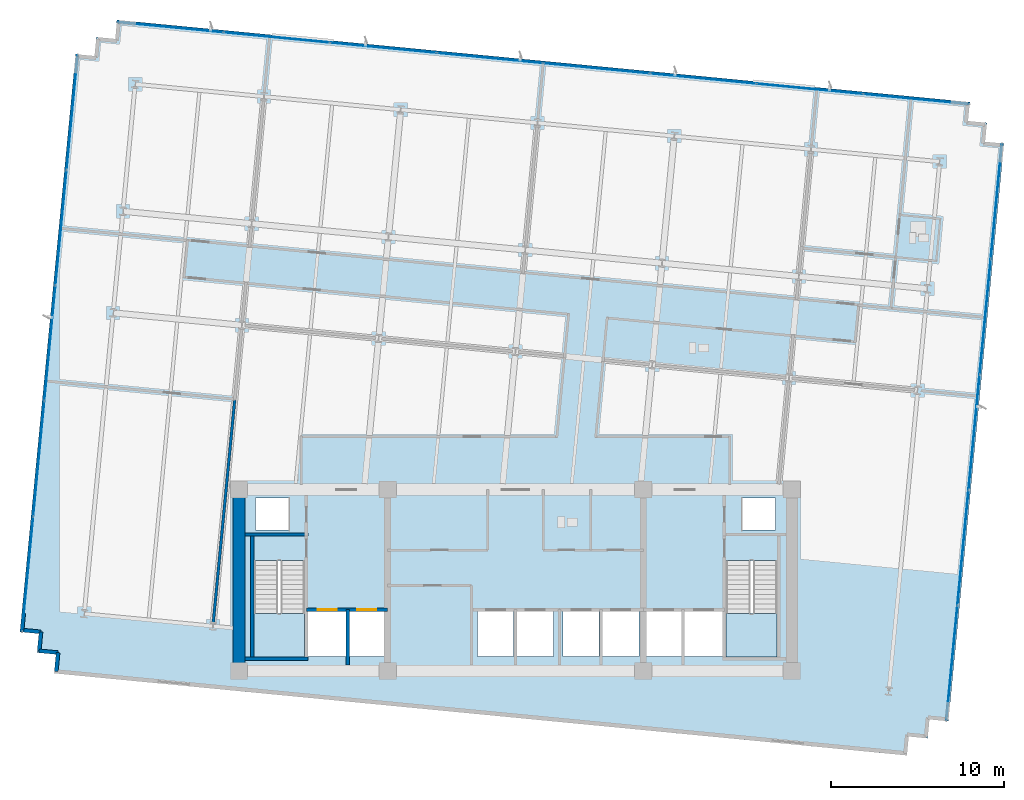
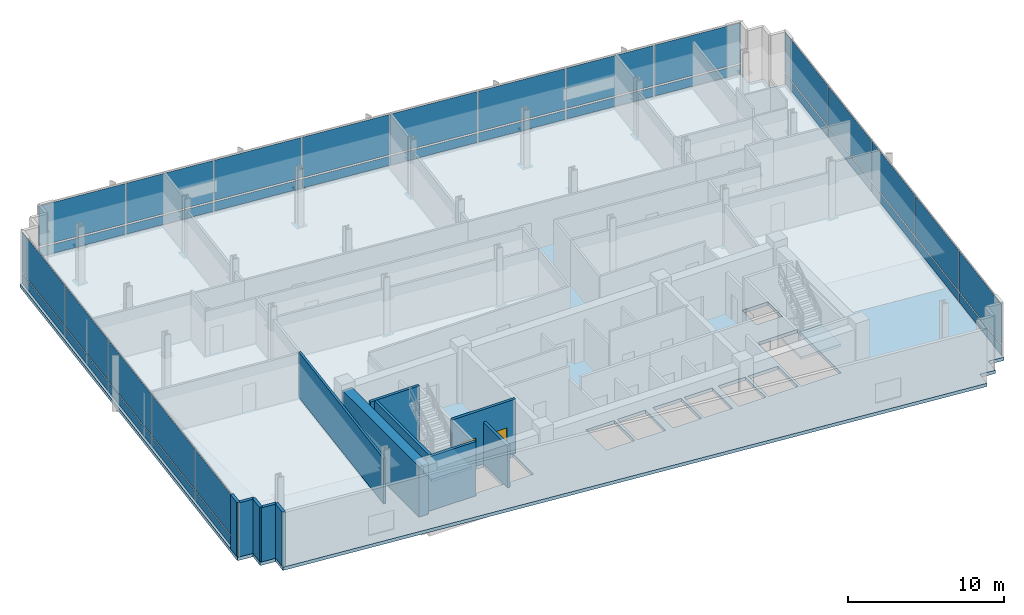
# One storey, part 10 of 17: 36 plates, 12 walls, 3 slabs, 2 doors, 2 openings, 5 elements without a shape of their own.
"""IFC4 building model written with IfcOpenShell, lengths in metres."""

from ifc_helpers import new_model, si_unit, direction, frame, frame_2d, origin, origin_2d, place, context, subcontext, project, spatial, polyline, rectangle, outline, extrude, material, layer, layer_set, type_object, element, fill, aggregate, save


model = new_model("IFC4")

# Units and contexts
model_context = context("Model", 3, precision=1e-05, world=origin(), true_north=direction((0.0, 1.0)))
body_context = subcontext(model_context, "Body", "Model", "MODEL_VIEW")
ifc_project = project(units=[si_unit("LENGTHUNIT", "METRE"), si_unit("AREAUNIT", "SQUARE_METRE"), si_unit("VOLUMEUNIT", "CUBIC_METRE"), si_unit("PLANEANGLEUNIT", "RADIAN"), si_unit("MASSUNIT", "GRAM", prefix="KILO")], contexts=[model_context])

# Site, building, storey
site_placement = place(None, origin())
site = spatial("IfcSite", under=ifc_project, at=site_placement, CompositionType="ELEMENT")
building_placement = place(site_placement, origin())
building = spatial("IfcBuilding", under=site, at=building_placement, Name="Solmavex Isthmus Hotel", CompositionType="ELEMENT")
storey_placement = place(building_placement, frame((0.0, 0.0, 177.300048828125)))
storey = spatial("IfcBuildingStorey", under=building, at=storey_placement, Name="L48", CompositionType="ELEMENT", Elevation=177.300048828125)

# Curtain wall, plates
ifc_material_1 = material(Name="Aluminium alloy 6063-T6", Category="aluminium")
curtain_wall_type = type_object("IfcCurtainWallType", Name="CW-SYS-05", PredefinedType="NOTDEFINED", material=ifc_material_1)
curtain_wall_1_placement = place(storey_placement, origin())
curtain_wall_1 = element("IfcCurtainWall", 1, at=curtain_wall_1_placement, inside=storey, type_object=curtain_wall_type, Name="Stick Curtain Wall CWL-L48-N1", PredefinedType="NOTDEFINED")
ifc_material_2 = material(Name="Clear low-E laminated glass", Category="glass")
ifc_layer_1 = layer(ifc_material_2, 0.0380859375)
ifc_layer_set_1 = layer_set([ifc_layer_1], Name="Clear low-E laminated glass")
plate_type = type_object("IfcPlateType", Name="CW-SYS-05-PNL", PredefinedType="CURTAIN_PANEL", material=ifc_layer_set_1)
plate_1_placement = place(storey_placement, frame((-19.974365234375, 24.271484375, 0.125), z_axis=(0.0, 0.0, 1.0), x_axis=(0.995396216037, -0.09584556901, 0.0)))
plate_1 = element("IfcPlate", 2, at=plate_1_placement, type_object=plate_type, Name="CW-05 panel 1.1", PredefinedType="CURTAIN_PANEL", context=body_context, shape_type="SweptSolid", body=[
    extrude(rectangle(XDim=6.1025390625, YDim=0.0380859375, at=origin_2d()), origin(), (0.0, 0.0, 1.0), 0.71240234375),
])
plate_2_placement = place(storey_placement, frame((-19.974365234375, 24.271484375, 0.96240234375), z_axis=(0.0, 0.0, 1.0), x_axis=(0.995396216037, -0.09584556901, 0.0)))
plate_2 = element("IfcPlate", 3, at=plate_2_placement, type_object=plate_type, Name="CW-05 panel 1.2", PredefinedType="CURTAIN_PANEL", context=body_context, shape_type="SweptSolid", body=[
    extrude(rectangle(XDim=6.1025390625, YDim=0.0380859375, at=origin_2d()), origin(), (0.0, 0.0, 1.0), 3.152587890625),
])
plate_3_placement = place(storey_placement, frame((-13.819091796875, 23.6787109375, 0.125), z_axis=(0.0, 0.0, 1.0), x_axis=(0.995396216037, -0.09584556901, 0.0)))
plate_3 = element("IfcPlate", 4, at=plate_3_placement, type_object=plate_type, Name="CW-05 panel 2.1", PredefinedType="CURTAIN_PANEL", context=body_context, shape_type="SweptSolid", body=[
    extrude(rectangle(XDim=6.135009765625, YDim=0.0380859375, at=origin_2d()), origin(), (0.0, 0.0, 1.0), 0.71240234375),
])
plate_4_placement = place(storey_placement, frame((-13.819091796875, 23.6787109375, 0.96240234375), z_axis=(0.0, 0.0, 1.0), x_axis=(0.995396216037, -0.09584556901, 0.0)))
plate_4 = element("IfcPlate", 5, at=plate_4_placement, type_object=plate_type, Name="CW-05 panel 2.2", PredefinedType="CURTAIN_PANEL", context=body_context, shape_type="SweptSolid", body=[
    extrude(rectangle(XDim=6.135009765625, YDim=0.0380859375, at=origin_2d()), origin(), (0.0, 0.0, 1.0), 3.152587890625),
])
plate_5_placement = place(storey_placement, frame((-7.647705078125, 23.08447265625, 0.125), z_axis=(0.0, 0.0, 1.0), x_axis=(0.995396216037, -0.09584556901, 0.0)))
plate_5 = element("IfcPlate", 6, at=plate_5_placement, type_object=plate_type, Name="CW-05 panel 3.1", PredefinedType="CURTAIN_PANEL", context=body_context, shape_type="SweptSolid", body=[
    extrude(rectangle(XDim=6.135009765625, YDim=0.0380859375, at=origin_2d()), origin(), (0.0, 0.0, 1.0), 0.71240234375),
])
plate_6_placement = place(storey_placement, frame((-7.647705078125, 23.08447265625, 0.96240234375), z_axis=(0.0, 0.0, 1.0), x_axis=(0.995396216037, -0.09584556901, 0.0)))
plate_6 = element("IfcPlate", 7, at=plate_6_placement, type_object=plate_type, Name="CW-05 panel 3.2", PredefinedType="CURTAIN_PANEL", context=body_context, shape_type="SweptSolid", body=[
    extrude(rectangle(XDim=6.135009765625, YDim=0.0380859375, at=origin_2d()), origin(), (0.0, 0.0, 1.0), 3.152587890625),
])
plate_7_placement = place(storey_placement, frame((-1.47607421875, 22.490234375, 0.125), z_axis=(0.0, 0.0, 1.0), x_axis=(0.995396216037, -0.09584556901, 0.0)))
plate_7 = element("IfcPlate", 8, at=plate_7_placement, type_object=plate_type, Name="CW-05 panel 4.1", PredefinedType="CURTAIN_PANEL", context=body_context, shape_type="SweptSolid", body=[
    extrude(rectangle(XDim=6.135009765625, YDim=0.0380859375, at=origin_2d()), origin(), (0.0, 0.0, 1.0), 0.71240234375),
])
plate_8_placement = place(storey_placement, frame((-1.47607421875, 22.490234375, 0.96240234375), z_axis=(0.0, 0.0, 1.0), x_axis=(0.995396216037, -0.09584556901, 0.0)))
plate_8 = element("IfcPlate", 9, at=plate_8_placement, type_object=plate_type, Name="CW-05 panel 4.2", PredefinedType="CURTAIN_PANEL", context=body_context, shape_type="SweptSolid", body=[
    extrude(rectangle(XDim=6.135009765625, YDim=0.0380859375, at=origin_2d()), origin(), (0.0, 0.0, 1.0), 3.152587890625),
])
plate_9_placement = place(storey_placement, frame((4.6953125, 21.89599609375, 0.125), z_axis=(0.0, 0.0, 1.0), x_axis=(0.995396216037, -0.09584556901, 0.0)))
plate_9 = element("IfcPlate", 10, at=plate_9_placement, type_object=plate_type, Name="CW-05 panel 5.1", PredefinedType="CURTAIN_PANEL", context=body_context, shape_type="SweptSolid", body=[
    extrude(rectangle(XDim=6.135009765625, YDim=0.0380859375, at=origin_2d()), origin(), (0.0, 0.0, 1.0), 0.71240234375),
])
plate_10_placement = place(storey_placement, frame((4.6953125, 21.89599609375, 0.96240234375), z_axis=(0.0, 0.0, 1.0), x_axis=(0.995396216037, -0.09584556901, 0.0)))
plate_10 = element("IfcPlate", 11, at=plate_10_placement, type_object=plate_type, Name="CW-05 panel 5.2", PredefinedType="CURTAIN_PANEL", context=body_context, shape_type="SweptSolid", body=[
    extrude(rectangle(XDim=6.135009765625, YDim=0.0380859375, at=origin_2d()), origin(), (0.0, 0.0, 1.0), 3.152587890625),
])
plate_11_placement = place(storey_placement, frame((10.86669921875, 21.3017578125, 0.125), z_axis=(0.0, 0.0, 1.0), x_axis=(0.995396216037, -0.09584556901, 0.0)))
plate_11 = element("IfcPlate", 12, at=plate_11_placement, type_object=plate_type, Name="CW-05 panel 6.1", PredefinedType="CURTAIN_PANEL", context=body_context, shape_type="SweptSolid", body=[
    extrude(rectangle(XDim=6.135009765625, YDim=0.0380859375, at=origin_2d()), origin(), (0.0, 0.0, 1.0), 0.71240234375),
])
plate_12_placement = place(storey_placement, frame((10.86669921875, 21.3017578125, 0.96240234375), z_axis=(0.0, 0.0, 1.0), x_axis=(0.995396216037, -0.09584556901, 0.0)))
plate_12 = element("IfcPlate", 13, at=plate_12_placement, type_object=plate_type, Name="CW-05 panel 6.2", PredefinedType="CURTAIN_PANEL", context=body_context, shape_type="SweptSolid", body=[
    extrude(rectangle(XDim=6.135009765625, YDim=0.0380859375, at=origin_2d()), origin(), (0.0, 0.0, 1.0), 3.152587890625),
])
plate_13_placement = place(storey_placement, frame((17.0380859375, 20.70751953125, 0.125), z_axis=(0.0, 0.0, 1.0), x_axis=(0.995396216037, -0.09584556901, 0.0)))
plate_13 = element("IfcPlate", 14, at=plate_13_placement, type_object=plate_type, Name="CW-05 panel 7.1", PredefinedType="CURTAIN_PANEL", context=body_context, shape_type="SweptSolid", body=[
    extrude(rectangle(XDim=6.135009765625, YDim=0.0380859375, at=origin_2d()), origin(), (0.0, 0.0, 1.0), 0.71240234375),
])
plate_14_placement = place(storey_placement, frame((17.0380859375, 20.70751953125, 0.96240234375), z_axis=(0.0, 0.0, 1.0), x_axis=(0.995396216037, -0.09584556901, 0.0)))
plate_14 = element("IfcPlate", 15, at=plate_14_placement, type_object=plate_type, Name="CW-05 panel 7.2", PredefinedType="CURTAIN_PANEL", context=body_context, shape_type="SweptSolid", body=[
    extrude(rectangle(XDim=6.135009765625, YDim=0.0380859375, at=origin_2d()), origin(), (0.0, 0.0, 1.0), 3.152587890625),
])
plate_15_placement = place(storey_placement, frame((23.193603515625, 20.11474609375, 0.125), z_axis=(0.0, 0.0, 1.0), x_axis=(0.995396216037, -0.09584556901, 0.0)))
plate_15 = element("IfcPlate", 16, at=plate_15_placement, type_object=plate_type, Name="CW-05 panel 8.1", PredefinedType="CURTAIN_PANEL", context=body_context, shape_type="SweptSolid", body=[
    extrude(rectangle(XDim=6.1025390625, YDim=0.0380859375, at=origin_2d()), origin(), (0.0, 0.0, 1.0), 0.71240234375),
])
plate_16_placement = place(storey_placement, frame((23.193603515625, 20.11474609375, 0.96240234375), z_axis=(0.0, 0.0, 1.0), x_axis=(0.995396216037, -0.09584556901, 0.0)))
plate_16 = element("IfcPlate", 17, at=plate_16_placement, type_object=plate_type, Name="CW-05 panel 8.2", PredefinedType="CURTAIN_PANEL", context=body_context, shape_type="SweptSolid", body=[
    extrude(rectangle(XDim=6.1025390625, YDim=0.0380859375, at=origin_2d()), origin(), (0.0, 0.0, 1.0), 3.152587890625),
])
aggregate(curtain_wall_1, [plate_1, plate_2, plate_3, plate_4, plate_5, plate_6, plate_7, plate_8, plate_9, plate_10, plate_11, plate_12, plate_13, plate_14, plate_15, plate_16])

curtain_wall_2_placement = place(storey_placement, origin())
curtain_wall_2 = element("IfcCurtainWall", 18, at=curtain_wall_2_placement, inside=storey, type_object=curtain_wall_type, Name="Stick Curtain Wall CWL-L48-W1", PredefinedType="NOTDEFINED")
plate_17_placement = place(storey_placement, frame((-28.242919921875, -7.385498046875, 0.125), z_axis=(0.0, 0.0, 1.0), x_axis=(0.09584583902, 0.995396190038, 0.0)))
plate_17 = element("IfcPlate", 19, at=plate_17_placement, type_object=plate_type, Name="CW-05 panel 1.1", PredefinedType="CURTAIN_PANEL", context=body_context, shape_type="SweptSolid", body=[
    extrude(rectangle(XDim=6.62255859375, YDim=0.0380859375, at=origin_2d()), origin(), (0.0, 0.0, 1.0), 0.71240234375),
])
plate_18_placement = place(storey_placement, frame((-28.242919921875, -7.385498046875, 0.96240234375), z_axis=(0.0, 0.0, 1.0), x_axis=(0.09584583902, 0.995396190038, 0.0)))
plate_18 = element("IfcPlate", 20, at=plate_18_placement, type_object=plate_type, Name="CW-05 panel 1.2", PredefinedType="CURTAIN_PANEL", context=body_context, shape_type="SweptSolid", body=[
    extrude(rectangle(XDim=6.62255859375, YDim=0.0380859375, at=origin_2d()), origin(), (0.0, 0.0, 1.0), 3.152587890625),
])
plate_19_placement = place(storey_placement, frame((-27.600341796875, -0.712646484375, 0.125), z_axis=(0.0, 0.0, 1.0), x_axis=(0.09584583902, 0.995396190038, 0.0)))
plate_19 = element("IfcPlate", 21, at=plate_19_placement, type_object=plate_type, Name="CW-05 panel 2.1", PredefinedType="CURTAIN_PANEL", context=body_context, shape_type="SweptSolid", body=[
    extrude(rectangle(XDim=6.655029296875, YDim=0.0380859375, at=origin_2d()), origin(), (0.0, 0.0, 1.0), 0.71240234375),
])
plate_20_placement = place(storey_placement, frame((-27.600341796875, -0.712646484375, 0.96240234375), z_axis=(0.0, 0.0, 1.0), x_axis=(0.09584583902, 0.995396190038, 0.0)))
plate_20 = element("IfcPlate", 22, at=plate_20_placement, type_object=plate_type, Name="CW-05 panel 2.2", PredefinedType="CURTAIN_PANEL", context=body_context, shape_type="SweptSolid", body=[
    extrude(rectangle(XDim=6.655029296875, YDim=0.0380859375, at=origin_2d()), origin(), (0.0, 0.0, 1.0), 3.152587890625),
])
plate_21_placement = place(storey_placement, frame((-26.956298828125, 5.976318359375, 0.125), z_axis=(0.0, 0.0, 1.0), x_axis=(0.09584583902, 0.995396190038, 0.0)))
plate_21 = element("IfcPlate", 23, at=plate_21_placement, type_object=plate_type, Name="CW-05 panel 3.1", PredefinedType="CURTAIN_PANEL", context=body_context, shape_type="SweptSolid", body=[
    extrude(rectangle(XDim=6.655029296875, YDim=0.0380859375, at=origin_2d()), origin(), (0.0, 0.0, 1.0), 0.71240234375),
])
plate_22_placement = place(storey_placement, frame((-26.956298828125, 5.976318359375, 0.96240234375), z_axis=(0.0, 0.0, 1.0), x_axis=(0.09584583902, 0.995396190038, 0.0)))
plate_22 = element("IfcPlate", 24, at=plate_22_placement, type_object=plate_type, Name="CW-05 panel 3.2", PredefinedType="CURTAIN_PANEL", context=body_context, shape_type="SweptSolid", body=[
    extrude(rectangle(XDim=6.655029296875, YDim=0.0380859375, at=origin_2d()), origin(), (0.0, 0.0, 1.0), 3.152587890625),
])
plate_23_placement = place(storey_placement, frame((-26.312255859375, 12.665283203125, 0.125), z_axis=(0.0, 0.0, 1.0), x_axis=(0.09584583902, 0.995396190038, 0.0)))
plate_23 = element("IfcPlate", 25, at=plate_23_placement, type_object=plate_type, Name="CW-05 panel 4.1", PredefinedType="CURTAIN_PANEL", context=body_context, shape_type="SweptSolid", body=[
    extrude(rectangle(XDim=6.655029296875, YDim=0.0380859375, at=origin_2d()), origin(), (0.0, 0.0, 1.0), 0.71240234375),
])
plate_24_placement = place(storey_placement, frame((-26.312255859375, 12.665283203125, 0.96240234375), z_axis=(0.0, 0.0, 1.0), x_axis=(0.09584583902, 0.995396190038, 0.0)))
plate_24 = element("IfcPlate", 26, at=plate_24_placement, type_object=plate_type, Name="CW-05 panel 4.2", PredefinedType="CURTAIN_PANEL", context=body_context, shape_type="SweptSolid", body=[
    extrude(rectangle(XDim=6.655029296875, YDim=0.0380859375, at=origin_2d()), origin(), (0.0, 0.0, 1.0), 3.152587890625),
])
plate_25_placement = place(storey_placement, frame((-25.669677734375, 19.33837890625, 0.125), z_axis=(0.0, 0.0, 1.0), x_axis=(0.09584583902, 0.995396190038, 0.0)))
plate_25 = element("IfcPlate", 27, at=plate_25_placement, type_object=plate_type, Name="CW-05 panel 5.1", PredefinedType="CURTAIN_PANEL", context=body_context, shape_type="SweptSolid", body=[
    extrude(rectangle(XDim=6.62255859375, YDim=0.0380859375, at=origin_2d()), origin(), (0.0, 0.0, 1.0), 0.71240234375),
])
plate_26_placement = place(storey_placement, frame((-25.669677734375, 19.33837890625, 0.96240234375), z_axis=(0.0, 0.0, 1.0), x_axis=(0.09584583902, 0.995396190038, 0.0)))
plate_26 = element("IfcPlate", 28, at=plate_26_placement, type_object=plate_type, Name="CW-05 panel 5.2", PredefinedType="CURTAIN_PANEL", context=body_context, shape_type="SweptSolid", body=[
    extrude(rectangle(XDim=6.62255859375, YDim=0.0380859375, at=origin_2d()), origin(), (0.0, 0.0, 1.0), 3.152587890625),
])
aggregate(curtain_wall_2, [plate_17, plate_18, plate_19, plate_20, plate_21, plate_22, plate_23, plate_24, plate_25, plate_26])

curtain_wall_3_placement = place(storey_placement, origin())
curtain_wall_3 = element("IfcCurtainWall", 29, at=curtain_wall_3_placement, inside=storey, type_object=curtain_wall_type, Name="Stick Curtain Wall CWL-L48-E1", PredefinedType="NOTDEFINED")
plate_27_placement = place(storey_placement, frame((25.26953125, -12.538330078125, 0.125), z_axis=(0.0, 0.0, 1.0), x_axis=(0.09584583902, 0.995396190038, 0.0)))
plate_27 = element("IfcPlate", 30, at=plate_27_placement, type_object=plate_type, Name="CW-05 panel 1.1", PredefinedType="CURTAIN_PANEL", context=body_context, shape_type="SweptSolid", body=[
    extrude(rectangle(XDim=6.62255859375, YDim=0.0380859375, at=origin_2d()), origin(), (0.0, 0.0, 1.0), 0.71240234375),
])
plate_28_placement = place(storey_placement, frame((25.26953125, -12.538330078125, 0.96240234375), z_axis=(0.0, 0.0, 1.0), x_axis=(0.09584583902, 0.995396190038, 0.0)))
plate_28 = element("IfcPlate", 31, at=plate_28_placement, type_object=plate_type, Name="CW-05 panel 1.2", PredefinedType="CURTAIN_PANEL", context=body_context, shape_type="SweptSolid", body=[
    extrude(rectangle(XDim=6.62255859375, YDim=0.0380859375, at=origin_2d()), origin(), (0.0, 0.0, 1.0), 3.152587890625),
])
plate_29_placement = place(storey_placement, frame((25.912109375, -5.865478515625, 0.125), z_axis=(0.0, 0.0, 1.0), x_axis=(0.09584583902, 0.995396190038, 0.0)))
plate_29 = element("IfcPlate", 32, at=plate_29_placement, type_object=plate_type, Name="CW-05 panel 2.1", PredefinedType="CURTAIN_PANEL", context=body_context, shape_type="SweptSolid", body=[
    extrude(rectangle(XDim=6.655029296875, YDim=0.0380859375, at=origin_2d()), origin(), (0.0, 0.0, 1.0), 0.71240234375),
])
plate_30_placement = place(storey_placement, frame((25.912109375, -5.865478515625, 0.96240234375), z_axis=(0.0, 0.0, 1.0), x_axis=(0.09584583902, 0.995396190038, 0.0)))
plate_30 = element("IfcPlate", 33, at=plate_30_placement, type_object=plate_type, Name="CW-05 panel 2.2", PredefinedType="CURTAIN_PANEL", context=body_context, shape_type="SweptSolid", body=[
    extrude(rectangle(XDim=6.655029296875, YDim=0.0380859375, at=origin_2d()), origin(), (0.0, 0.0, 1.0), 3.152587890625),
])
plate_31_placement = place(storey_placement, frame((26.55615234375, 0.82373046875, 0.125), z_axis=(0.0, 0.0, 1.0), x_axis=(0.09584583902, 0.995396190038, 0.0)))
plate_31 = element("IfcPlate", 34, at=plate_31_placement, type_object=plate_type, Name="CW-05 panel 3.1", PredefinedType="CURTAIN_PANEL", context=body_context, shape_type="SweptSolid", body=[
    extrude(rectangle(XDim=6.655029296875, YDim=0.0380859375, at=origin_2d()), origin(), (0.0, 0.0, 1.0), 0.71240234375),
])
plate_32_placement = place(storey_placement, frame((26.55615234375, 0.82373046875, 0.96240234375), z_axis=(0.0, 0.0, 1.0), x_axis=(0.09584583902, 0.995396190038, 0.0)))
plate_32 = element("IfcPlate", 35, at=plate_32_placement, type_object=plate_type, Name="CW-05 panel 3.2", PredefinedType="CURTAIN_PANEL", context=body_context, shape_type="SweptSolid", body=[
    extrude(rectangle(XDim=6.655029296875, YDim=0.0380859375, at=origin_2d()), origin(), (0.0, 0.0, 1.0), 3.152587890625),
])
plate_33_placement = place(storey_placement, frame((27.200439453125, 7.5126953125, 0.125), z_axis=(0.0, 0.0, 1.0), x_axis=(0.09584583902, 0.995396190038, 0.0)))
plate_33 = element("IfcPlate", 36, at=plate_33_placement, type_object=plate_type, Name="CW-05 panel 4.1", PredefinedType="CURTAIN_PANEL", context=body_context, shape_type="SweptSolid", body=[
    extrude(rectangle(XDim=6.655029296875, YDim=0.0380859375, at=origin_2d()), origin(), (0.0, 0.0, 1.0), 0.71240234375),
])
plate_34_placement = place(storey_placement, frame((27.200439453125, 7.5126953125, 0.96240234375), z_axis=(0.0, 0.0, 1.0), x_axis=(0.09584583902, 0.995396190038, 0.0)))
plate_34 = element("IfcPlate", 37, at=plate_34_placement, type_object=plate_type, Name="CW-05 panel 4.2", PredefinedType="CURTAIN_PANEL", context=body_context, shape_type="SweptSolid", body=[
    extrude(rectangle(XDim=6.655029296875, YDim=0.0380859375, at=origin_2d()), origin(), (0.0, 0.0, 1.0), 3.152587890625),
])
plate_35_placement = place(storey_placement, frame((27.8427734375, 14.185546875, 0.125), z_axis=(0.0, 0.0, 1.0), x_axis=(0.09584583902, 0.995396190038, 0.0)))
plate_35 = element("IfcPlate", 38, at=plate_35_placement, type_object=plate_type, Name="CW-05 panel 5.1", PredefinedType="CURTAIN_PANEL", context=body_context, shape_type="SweptSolid", body=[
    extrude(rectangle(XDim=6.62255859375, YDim=0.0380859375, at=origin_2d()), origin(), (0.0, 0.0, 1.0), 0.71240234375),
])
plate_36_placement = place(storey_placement, frame((27.8427734375, 14.185546875, 0.96240234375), z_axis=(0.0, 0.0, 1.0), x_axis=(0.09584583902, 0.995396190038, 0.0)))
plate_36 = element("IfcPlate", 39, at=plate_36_placement, type_object=plate_type, Name="CW-05 panel 5.2", PredefinedType="CURTAIN_PANEL", context=body_context, shape_type="SweptSolid", body=[
    extrude(rectangle(XDim=6.62255859375, YDim=0.0380859375, at=origin_2d()), origin(), (0.0, 0.0, 1.0), 3.152587890625),
])
aggregate(curtain_wall_3, [plate_27, plate_28, plate_29, plate_30, plate_31, plate_32, plate_33, plate_34, plate_35, plate_36])

# Slab
ifc_material_3 = material(Name="Concrete C40/50", Category="concrete")
ifc_layer_2 = layer(ifc_material_3, 0.260009765625)
ifc_layer_set_2 = layer_set([ifc_layer_2], Name="Concrete C40/50")
slab_type_1 = type_object("IfcSlabType", Name="SLAB-TYP-260", PredefinedType="FLOOR", material=ifc_layer_set_2)
slab_1_placement = place(storey_placement, frame((0.0, 0.0, -0.260009765625)))
element("IfcSlab", 40, at=slab_1_placement, inside=storey, type_object=slab_type_1, Name="Tower Structural Floor Slab L48", PredefinedType="FLOOR", context=body_context, shape_type="SweptSolid", body=[
    extrude(outline(polyline([(-25.612060546875, -13.240966796875), (21.56982421875, -17.7841796875), (22.664794921875, -17.889404296875), (22.770263671875, -16.794677734375), (23.865234375, -16.89990234375), (23.970458984375, -15.80517578125), (25.0654296875, -15.910400390625), (25.1708984375, -14.815673828125), (28.180419921875, 16.43994140625), (28.285888671875, 17.534912109375), (27.19091796875, 17.64013671875), (27.29638671875, 18.735107421875), (26.201416015625, 18.840576171875), (26.306884765625, 19.935546875), (25.2119140625, 20.041015625), (-21.9697265625, 24.583984375), (-23.064697265625, 24.689453125), (-23.170166015625, 23.594482421875), (-24.26513671875, 23.699951171875), (-24.37060546875, 22.60498046875), (-25.465576171875, 22.71044921875), (-25.57080078125, 21.615478515625), (-28.58056640625, -9.639892578125), (-28.685791015625, -10.73486328125), (-27.591064453125, -10.84033203125), (-27.6962890625, -11.935302734375), (-26.6015625, -12.04052734375), (-26.706787109375, -13.135498046875), (-25.612060546875, -13.240966796875)]), holes=[polyline([(-15.14990234375, -6.617919921875), (-15.14990234375, -12.199951171875), (-12.199951171875, -12.199951171875), (-12.199951171875, -6.617919921875), (-15.14990234375, -6.617919921875)]), polyline([(12.199951171875, -6.617919921875), (12.199951171875, -12.199951171875), (15.14990234375, -12.199951171875), (15.14990234375, -6.617919921875), (12.199951171875, -6.617919921875)]), polyline([(-12.0, -12.14990234375), (-9.800048828125, -12.14990234375), (-9.800048828125, -9.550048828125), (-12.0, -9.550048828125), (-12.0, -12.14990234375)]), polyline([(9.800048828125, -12.14990234375), (12.0, -12.14990234375), (12.0, -9.550048828125), (9.800048828125, -9.550048828125), (9.800048828125, -12.14990234375)]), polyline([(-9.60009765625, -12.14990234375), (-7.60009765625, -12.14990234375), (-7.60009765625, -9.550048828125), (-9.60009765625, -9.550048828125), (-9.60009765625, -12.14990234375)]), polyline([(7.60009765625, -12.14990234375), (9.60009765625, -12.14990234375), (9.60009765625, -9.550048828125), (7.60009765625, -9.550048828125), (7.60009765625, -12.14990234375)]), polyline([(-2.199951171875, -12.14990234375), (-0.10009765625, -12.14990234375), (-0.10009765625, -9.550048828125), (-2.199951171875, -9.550048828125), (-2.199951171875, -12.14990234375)]), polyline([(0.10009765625, -12.14990234375), (2.199951171875, -12.14990234375), (2.199951171875, -9.550048828125), (0.10009765625, -9.550048828125), (0.10009765625, -12.14990234375)]), polyline([(2.75, -12.14990234375), (4.85009765625, -12.14990234375), (4.85009765625, -9.550048828125), (2.75, -9.550048828125), (2.75, -12.14990234375)]), polyline([(5.050048828125, -12.14990234375), (7.14990234375, -12.14990234375), (7.14990234375, -9.550048828125), (5.050048828125, -9.550048828125), (5.050048828125, -12.14990234375)]), polyline([(-15.050048828125, -4.85009765625), (-13.14990234375, -4.85009765625), (-13.14990234375, -3.0), (-15.050048828125, -3.0), (-15.050048828125, -4.85009765625)]), polyline([(13.14990234375, -4.85009765625), (15.050048828125, -4.85009765625), (15.050048828125, -3.0), (13.14990234375, -3.0), (13.14990234375, -4.85009765625)])]), origin(), (0.0, 0.0, 1.0), 0.260009765625),
])

# Stair, slab
stair_type_1 = type_object("IfcStairType", Name="STR-ST-1", PredefinedType="HALF_TURN_STAIR", material=ifc_material_3)
stair_1_placement = place(storey_placement, origin())
stair_1 = element("IfcStair", 41, at=stair_1_placement, inside=storey, type_object=stair_type_1, Name="L48 Protected Exit Stair ST-1", PredefinedType="HALF_TURN_STAIR")
ifc_layer_3 = layer(ifc_material_3, 0.219970703125)
ifc_layer_set_3 = layer_set([ifc_layer_3], Name="Concrete C40/50")
slab_type_2 = type_object("IfcSlabType", Name="SLD-ST-1", PredefinedType="LANDING", material=ifc_layer_set_3)
slab_2_placement = place(storey_placement, frame((0.0, 0.0, 2.050048828125)))
slab_2 = element("IfcSlab", 42, at=slab_2_placement, type_object=slab_type_2, Name="ST-1 landing 1", PredefinedType="LANDING", context=body_context, shape_type="SweptSolid", body=[
    extrude(outline(polyline([(-15.14990234375, -9.679931640625), (-15.14990234375, -12.199951171875), (-12.199951171875, -12.199951171875), (-12.199951171875, -9.679931640625), (-15.14990234375, -9.679931640625)])), origin(), (0.0, 0.0, 1.0), 0.199951171875),
])
aggregate(stair_1, [slab_2])

stair_type_2 = type_object("IfcStairType", Name="STR-ST-2", PredefinedType="HALF_TURN_STAIR", material=ifc_material_3)
stair_2_placement = place(storey_placement, origin())
stair_2 = element("IfcStair", 43, at=stair_2_placement, inside=storey, type_object=stair_type_2, Name="L48 Protected Exit Stair ST-2", PredefinedType="HALF_TURN_STAIR")
ifc_layer_4 = layer(ifc_material_3, 0.219970703125)
ifc_layer_set_4 = layer_set([ifc_layer_4], Name="Concrete C40/50")
slab_type_3 = type_object("IfcSlabType", Name="SLD-ST-2", PredefinedType="LANDING", material=ifc_layer_set_4)
slab_3_placement = place(storey_placement, frame((0.0, 0.0, 2.050048828125)))
slab_3 = element("IfcSlab", 44, at=slab_3_placement, type_object=slab_type_3, Name="ST-2 landing 1", PredefinedType="LANDING", context=body_context, shape_type="SweptSolid", body=[
    extrude(outline(polyline([(12.199951171875, -9.679931640625), (12.199951171875, -12.199951171875), (15.14990234375, -12.199951171875), (15.14990234375, -9.679931640625), (12.199951171875, -9.679931640625)])), origin(), (0.0, 0.0, 1.0), 0.199951171875),
])
aggregate(stair_2, [slab_3])

# Walls
ifc_material_4 = material(Name="Precast Concrete C40/50", Category="concrete")
ifc_layer_5 = layer(ifc_material_4, 0.25)
ifc_layer_set_5 = layer_set([ifc_layer_5], Name="Precast Concrete C40/50")
wall_type_1 = type_object("IfcWallType", Name="EW-TWR-250", PredefinedType="STANDARD", material=ifc_layer_set_5)
for number, where, z_axis, x_axis, name in (
    (45, (-26.5869140625, -13.03662109375, 0.0), (0.0, 0.0, 1.0), (0.095877334176, 0.995393156894, 0.0), "Serrated Corner Facade Panel L48-01"),
    (46, (-26.4814453125, -11.941650390625, 0.0), (0.0, 0.0, 1.0), (-0.995393156894, 0.095877334176, 0.0), "Serrated Corner Facade Panel L48-02"),
    (47, (-27.576416015625, -11.836181640625, 0.0), (0.0, 0.0, 1.0), (0.095877334176, 0.995393156894, 0.0), "Serrated Corner Facade Panel L48-03"),
    (48, (-27.470947265625, -10.7412109375, 0.0), (0.0, 0.0, 1.0), (-0.995414313875, 0.095657429048, 0.0), "Serrated Corner Facade Panel L48-04"),
):
    element("IfcWall", number, at=place(storey_placement, frame(where, z_axis=z_axis, x_axis=x_axis)), inside=storey, type_object=wall_type_1, Name=name, PredefinedType="STANDARD", context=body_context, shape_type="SweptSolid", body=[
        extrude(rectangle(XDim=1.10009765625, YDim=0.219970703125, at=frame_2d((0.550048828125, 0.0))), origin(), (0.0, 0.0, 1.0), 4.239990234375),
    ])
wall_1_placement = place(storey_placement, frame((-28.56591796875, -10.635986328125, 0.0), z_axis=(0.0, 0.0, 1.0), x_axis=(0.095914428506, 0.995389583231, 0.0)))
element("IfcWall", 49, at=wall_1_placement, inside=storey, type_object=wall_type_1, Name="Serrated Corner Facade Panel L48-05", PredefinedType="STANDARD", context=body_context, shape_type="SweptSolid", body=[
    extrude(rectangle(XDim=0.990234375, YDim=0.219970703125, at=frame_2d((0.4951171875, 0.0))), origin(), (0.0, 0.0, 1.0), 4.239990234375),
])
ifc_material_5 = material(Name="Gypsum plasterboard lining", Category="gypsum")
ifc_layer_6 = layer(ifc_material_5, 0.159912109375)
ifc_layer_set_6 = layer_set([ifc_layer_6], Name="Gypsum plasterboard lining")
wall_type_2 = type_object("IfcWallType", Name="IW-COMP-160", PredefinedType="PARTITIONING", material=ifc_layer_set_6)
wall_2_placement = place(storey_placement, frame((-17.497802734375, -10.228759765625, 0.0), z_axis=(0.0, 0.0, 1.0), x_axis=(0.095841963464, 0.995396563205, 0.0)))
element("IfcWall", 50, at=wall_2_placement, inside=storey, type_object=wall_type_2, Name="Interior Partition Wall W-L48-P051", PredefinedType="PARTITIONING", context=body_context, shape_type="SweptSolid", body=[
    extrude(rectangle(XDim=13.10595703125, YDim=0.159912109375, at=frame_2d((6.552978515625, 0.0))), origin(), (0.0, 0.0, 1.0), 3.529541015625),
])

# Wall, openings, doors
ifc_layer_7 = layer(ifc_material_3, 0.199951171875)
ifc_layer_set_7 = layer_set([ifc_layer_7], Name="Concrete C40/50")
wall_type_3 = type_object("IfcWallType", Name="IW-SHAFT-200", PredefinedType="PARTITIONING", material=ifc_layer_set_7)
wall_3_placement = place(storey_placement, frame((-12.10009765625, -9.449951171875, 0.0), z_axis=(0.0, 0.0, 1.0), x_axis=(1.0, 0.0, 0.0)))
wall_3 = element("IfcWall", 51, at=wall_3_placement, inside=storey, type_object=wall_type_3, Name="Interior Partition Wall W-L48-FFLW-S", PredefinedType="PARTITIONING", context=body_context, shape_type="SweptSolid", body=[
    extrude(rectangle(XDim=4.7001953125, YDim=0.199951171875, at=frame_2d((2.35009765625, 0.0))), origin(), (0.0, 0.0, 1.0), 4.239990234375),
])
opening_1_placement = place(wall_3_placement, frame((0.64990234375, 0.0, 0.0)))
opening_1 = element("IfcOpeningElement", 52, at=opening_1_placement, cuts=wall_3, Name="Opening LD-FF", PredefinedType="OPENING", context=body_context, shape_type="SweptSolid", body=[
    extrude(rectangle(XDim=1.10009765625, YDim=2.199951171875, at=frame_2d((0.550048828125, 1.10009765625))), frame((0.0, 0.10986328125, 0.0), z_axis=(0.0, -1.0, 0.0), x_axis=(1.0, 0.0, 0.0)), (0.0, 0.0, 1.0), 0.219970703125),
])
opening_2_placement = place(wall_3_placement, frame((2.949951171875, 0.0, 0.0)))
opening_2 = element("IfcOpeningElement", 53, at=opening_2_placement, cuts=wall_3, Name="Opening LD-SV", PredefinedType="OPENING", context=body_context, shape_type="SweptSolid", body=[
    extrude(rectangle(XDim=1.10009765625, YDim=2.199951171875, at=frame_2d((0.550048828125, 1.10009765625))), frame((0.0, 0.10986328125, 0.0), z_axis=(0.0, -1.0, 0.0), x_axis=(1.0, 0.0, 0.0)), (0.0, 0.0, 1.0), 0.219970703125),
])
ifc_material_6 = material(Name="Stainless steel 316", Category="steel")
door_type_1 = type_object("IfcDoorType", Name="LDR-FF-1100", OperationType="NOTDEFINED", PredefinedType="DOOR", material=ifc_material_6)
door_1_placement = place(opening_1_placement, origin())
door_1 = element("IfcDoor", 54, at=door_1_placement, inside=storey, type_object=door_type_1, Name="Lift Landing Door FFL-1 L48", OperationType="SLIDING_TO_LEFT", OverallHeight=2.199951171875, OverallWidth=1.10009765625, PredefinedType="DOOR", context=body_context, shape_type="SweptSolid", body=[
    extrude(rectangle(XDim=1.10009765625, YDim=2.199951171875, at=frame_2d((0.550048828125, 1.10009765625))), frame((0.0, 0.02490234375, 0.0), z_axis=(0.0, -1.0, 0.0), x_axis=(1.0, 0.0, 0.0)), (0.0, 0.0, 1.0), 0.050048828125),
])
fill(opening_1, door_1)
door_type_2 = type_object("IfcDoorType", Name="LDR-SV-1100", OperationType="NOTDEFINED", PredefinedType="DOOR", material=ifc_material_6)
door_2_placement = place(opening_2_placement, origin())
door_2 = element("IfcDoor", 55, at=door_2_placement, inside=storey, type_object=door_type_2, Name="Lift Landing Door SVL-1 L48", OperationType="SLIDING_TO_RIGHT", OverallHeight=2.199951171875, OverallWidth=1.10009765625, PredefinedType="DOOR", context=body_context, shape_type="SweptSolid", body=[
    extrude(rectangle(XDim=1.10009765625, YDim=2.199951171875, at=frame_2d((0.550048828125, 1.10009765625))), frame((0.0, 0.02490234375, 0.0), z_axis=(0.0, -1.0, 0.0), x_axis=(1.0, 0.0, 0.0)), (0.0, 0.0, 1.0), 0.050048828125),
])
fill(opening_2, door_2)

# Walls
wall_4_placement = place(storey_placement, frame((-9.699951171875, -12.64990234375, 0.0), z_axis=(0.0, 0.0, 1.0), x_axis=(0.0, 1.0, 0.0)))
element("IfcWall", 56, at=wall_4_placement, inside=storey, type_object=wall_type_3, Name="Interior Partition Wall W-L48-FFLW-M", PredefinedType="PARTITIONING", context=body_context, shape_type="SweptSolid", body=[
    extrude(rectangle(XDim=3.199951171875, YDim=0.199951171875, at=frame_2d((1.60009765625, 0.0))), origin(), (0.0, 0.0, 1.0), 3.27490234375),
])
ifc_material_7 = material(Name="Concrete C60/75", Category="concrete")
ifc_layer_8 = layer(ifc_material_7, 0.699951171875)
ifc_layer_set_8 = layer_set([ifc_layer_8], Name="Concrete C60/75")
wall_type_4 = type_object("IfcWallType", Name="WALL-CW-700", PredefinedType="SHEAR", material=ifc_layer_set_8)
wall_5_placement = place(storey_placement, frame((-16.0, -12.64990234375, 0.0), z_axis=(0.0, 0.0, 1.0), x_axis=(0.0, 1.0, 0.0)))
element("IfcWall", 57, at=wall_5_placement, inside=storey, type_object=wall_type_4, Name="Core Shear Wall West L48", PredefinedType="SHEAR", context=body_context, shape_type="SweptSolid", body=[
    extrude(rectangle(XDim=9.7998046875, YDim=0.699951171875, at=frame_2d((4.89990234375, 0.0))), origin(), (0.0, 0.0, 1.0), 3.9599609375),
])
ifc_layer_9 = layer(ifc_material_3, 0.199951171875)
ifc_layer_set_9 = layer_set([ifc_layer_9], Name="Concrete C40/50")
wall_type_5 = type_object("IfcWallType", Name="WALL-SW-200", PredefinedType="SOLIDWALL", material=ifc_layer_set_9)
for number, where, z_axis, x_axis, name in (
    (58, (-15.64990234375, -12.300048828125, 0.0), (0.0, 0.0, 1.0), (1.0, 0.0, 0.0), "Stairwell Structural Wall SW-L48-ST1-S"),
    (59, (-15.64990234375, -5.10009765625, 0.0), (0.0, 0.0, 1.0), (1.0, 0.0, 0.0), "Stairwell Structural Wall SW-L48-ST1-N"),
):
    element("IfcWall", number, at=place(storey_placement, frame(where, z_axis=z_axis, x_axis=x_axis)), inside=storey, type_object=wall_type_5, Name=name, PredefinedType="SOLIDWALL", context=body_context, shape_type="SweptSolid", body=[
        extrude(rectangle(XDim=3.64990234375, YDim=0.199951171875, at=frame_2d((1.824951171875, 0.0))), origin(), (0.0, 0.0, 1.0), 4.239990234375),
    ])
wall_6_placement = place(storey_placement, frame((-15.25, -12.199951171875, 0.0), z_axis=(0.0, 0.0, 1.0), x_axis=(0.0, 1.0, 0.0)))
element("IfcWall", 60, at=wall_6_placement, inside=storey, type_object=wall_type_5, Name="Stairwell Structural Wall SW-L48-ST1-W", PredefinedType="SOLIDWALL", context=body_context, shape_type="SweptSolid", body=[
    extrude(rectangle(XDim=7.0, YDim=0.199951171875, at=frame_2d((3.5, 0.0))), origin(), (0.0, 0.0, 1.0), 4.239990234375),
])

save(model, "model.ifc")
